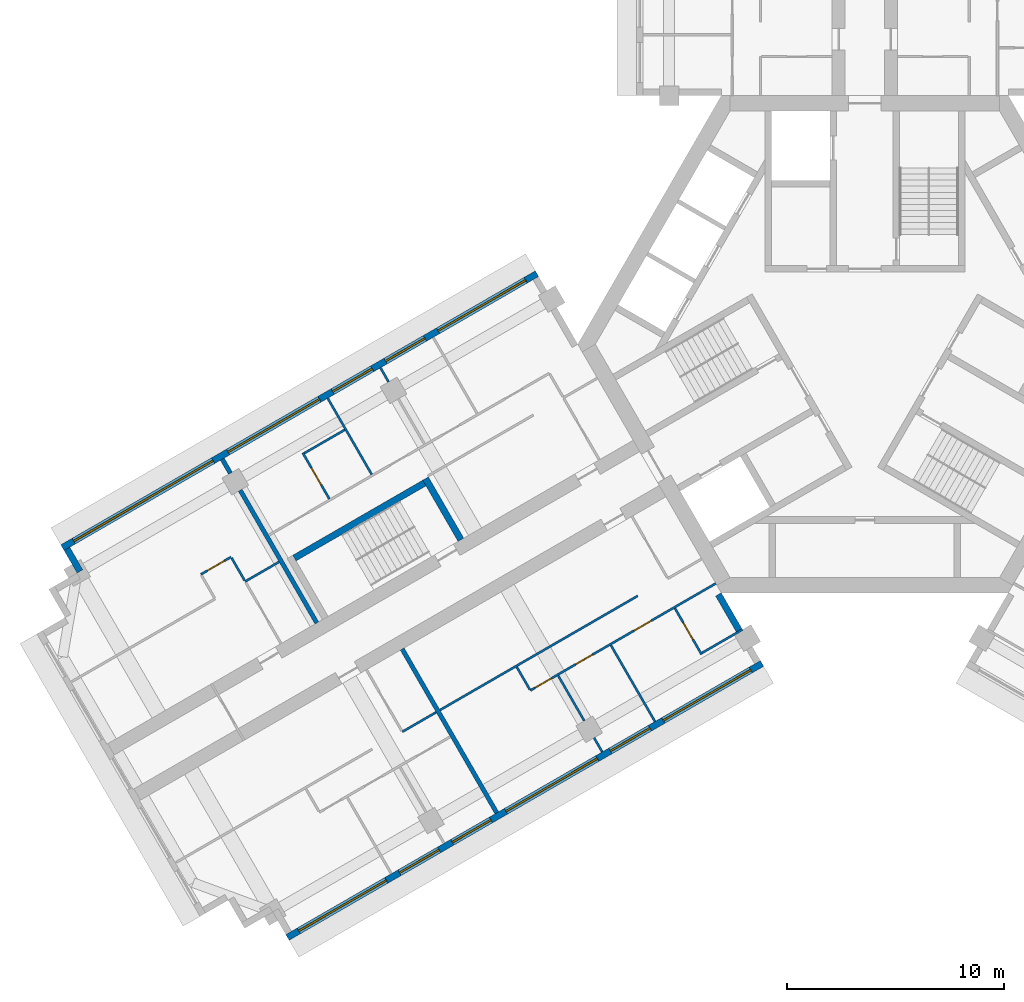
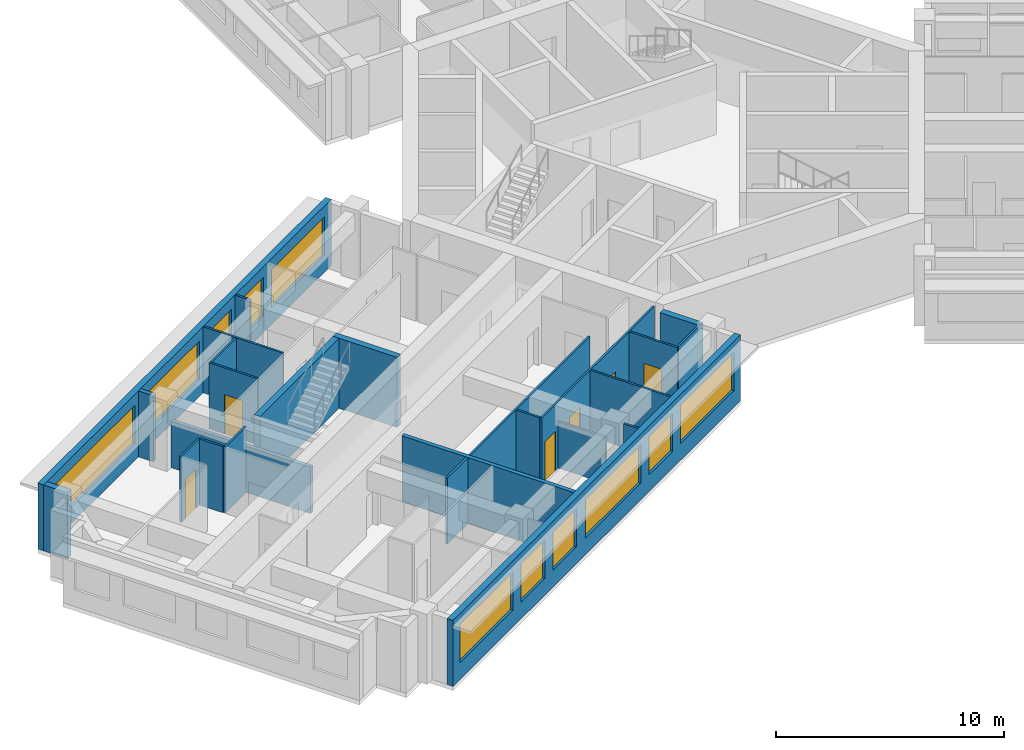
# One storey, part 3 of 11: 25 walls, 11 windows, 6 doors, 17 openings.
"""IFC4 building model written with IfcOpenShell, lengths in metres."""

import ifcopenshell
import ifcopenshell.guid

model = None  # the IFC model being written
_history = None  # IfcOwnerHistory: only IFC2X3 demands one
_inside = {}  # id of a spatial element -> (the spatial element, [elements in it])
_under = {}  # id of a project, library or spatial element -> (it, [spatial elements below it])
_declared = {}  # id of a project -> (the project, [libraries it declares])
_typed = {}  # id of a type object -> (the type object, [elements of that type])
_made_of = {}  # id of a material, layer set ... -> (it, [elements and type objects made of it])


def new_model(schema):
    """Start an empty IFC model of exactly this schema.

    Asked for "IFC4X3", IfcOpenShell would pick the latest addendum, in which some entities
    have other attributes; the version numbers below select the first issue.
    IFC2X3 requires an IfcOwnerHistory on every rooted entity: one is made here for all.
    """
    global model, _history
    if schema == "IFC4X3":
        model = ifcopenshell.file(schema_version=(4, 3, 0, 0))
    else:
        model = ifcopenshell.file(schema=schema)
    _inside.clear()
    _under.clear()
    _declared.clear()
    _typed.clear()
    _made_of.clear()
    _history = None
    if model.schema == "IFC2X3":
        org = make("IfcOrganization", Name="unknown")
        user = make(
            "IfcPersonAndOrganization",
            ThePerson=make("IfcPerson", FamilyName="unknown"),
            TheOrganization=org,
        )
        app = make(
            "IfcApplication",
            ApplicationDeveloper=org,
            Version="unknown",
            ApplicationFullName="unknown",
            ApplicationIdentifier="unknown",
        )
        _history = make(
            "IfcOwnerHistory",
            OwningUser=user,
            OwningApplication=app,
            ChangeAction="ADDED",
            CreationDate=0,
        )
    return model


def make(cls, **values):
    """One entity of the class cls with the attributes given. An attribute that is None is left unset."""
    return model.create_entity(
        cls, **{name: value for name, value in values.items() if value is not None}
    )


def rooted(cls, **values):
    """An entity with a GlobalId (a new one), such as an element, a storey or a relation."""
    return make(cls, GlobalId=ifcopenshell.guid.new(), OwnerHistory=_history, **values)


def si_unit(unit_type, name, prefix=None):
    """IfcSIUnit, for example si_unit("LENGTHUNIT", "METRE", prefix="MILLI")."""
    return make("IfcSIUnit", UnitType=unit_type, Prefix=prefix, Name=name)


def assignment(units):
    """IfcUnitAssignment: the units of a project."""
    return None if units is None else make("IfcUnitAssignment", Units=units)


def point(xyz):
    """IfcCartesianPoint."""
    return None if xyz is None else make("IfcCartesianPoint", Coordinates=xyz)


def direction(xyz):
    """IfcDirection."""
    return None if xyz is None else make("IfcDirection", DirectionRatios=xyz)


def frame(location, z_axis=None, x_axis=None):
    """IfcAxis2Placement3D, a coordinate frame: its origin and axes. An axis left out is left unset."""
    return make(
        "IfcAxis2Placement3D",
        Location=point(location),
        Axis=direction(z_axis),
        RefDirection=direction(x_axis),
    )


def frame_2d(location, x_axis=None):
    """IfcAxis2Placement2D, a coordinate frame in the plane: its origin and x axis."""
    return make(
        "IfcAxis2Placement2D", Location=point(location), RefDirection=direction(x_axis)
    )


def origin():
    """The frame at (0, 0, 0) with its axes left unset."""
    return frame((0.0, 0.0, 0.0))


def place(relative_to, where):
    """IfcLocalPlacement: puts the frame where relative to a parent placement (None: the world)."""
    return make(
        "IfcLocalPlacement", PlacementRelTo=relative_to, RelativePlacement=where
    )


def context(
    kind, dimensions, precision=None, world=None, true_north=None, identifier=None
):
    """IfcGeometricRepresentationContext, for example the 3D "Model" context."""
    return make(
        "IfcGeometricRepresentationContext",
        ContextIdentifier=identifier,
        ContextType=kind,
        CoordinateSpaceDimension=dimensions,
        Precision=precision,
        WorldCoordinateSystem=world,
        TrueNorth=true_north,
    )


def subcontext(parent, identifier, kind, view, scale=None):
    """IfcGeometricRepresentationSubContext, for example "Body" below "Model"."""
    return make(
        "IfcGeometricRepresentationSubContext",
        ContextIdentifier=identifier,
        ContextType=kind,
        ParentContext=parent,
        TargetScale=scale,
        TargetView=view,
    )


def project(units=None, contexts=None):
    """IfcProject with its units and contexts."""
    return rooted(
        "IfcProject",
        Name="project",
        RepresentationContexts=contexts,
        UnitsInContext=assignment(units),
    )


def spatial(cls, under=None, at=None, **own):
    """A site, building, storey or space (cls), placed at a placement, below another one or the project."""
    s = rooted(cls, ObjectPlacement=at, **own)
    if under is not None:
        _under.setdefault(under.id(), (under, []))[1].append(s)
    return s


def profile(cls, at=None, kind="AREA", **sizes):
    """A parametric profile (cls). Its sizes go by their IFC names, for example OverallWidth=200.0."""
    return make(cls, ProfileType=kind, Position=at, **sizes)


def rectangle(**sizes):
    """IfcRectangleProfileDef."""
    return profile("IfcRectangleProfileDef", **sizes)


def extrude(swept, where, along, depth):
    """IfcExtrudedAreaSolid: the profile swept, set in the frame where, extruded along a direction by depth."""
    return make(
        "IfcExtrudedAreaSolid",
        SweptArea=swept,
        Position=where,
        ExtrudedDirection=direction(along),
        Depth=depth,
    )


def shape(context_of_items, identifier, shape_type, items):
    """IfcShapeRepresentation: the items that make up one representation, for example the "Body"."""
    return make(
        "IfcShapeRepresentation",
        ContextOfItems=context_of_items,
        RepresentationIdentifier=identifier,
        RepresentationType=shape_type,
        Items=items,
    )


def material(Name=None, Category=None):
    """IfcMaterial."""
    return make("IfcMaterial", Name=Name, Category=Category)


def layer(
    of_material, thickness, ventilated=None, Name=None, Category=None, Priority=None
):
    """IfcMaterialLayer: one layer of a wall or slab, of a material (None: an air gap)."""
    return make(
        "IfcMaterialLayer",
        Material=of_material,
        LayerThickness=thickness,
        IsVentilated=ventilated,
        Name=Name,
        Category=Category,
        Priority=Priority,
    )


def layer_set(layers, Name=None):
    """IfcMaterialLayerSet."""
    return make("IfcMaterialLayerSet", MaterialLayers=layers, LayerSetName=Name)


def made_of(thing, what):
    """Note that an element or type object is made of a material, layer set ...; save() writes the relation."""
    if what is not None:
        _made_of.setdefault(what.id(), (what, []))[1].append(thing)
    return thing


def type_object(cls, material=None, **own):
    """A type object (cls), such as IfcWallType, which elements share."""
    return made_of(rooted(cls, **own), material)


def element(
    cls,
    number,
    at=None,
    inside=None,
    cuts=None,
    type_object=None,
    material=None,
    context=None,
    identifier="Body",
    shape_type=None,
    held_by="IfcProductDefinitionShape",
    body=None,
    shapes=None,
    **own,
):
    """One element of the class cls, such as IfcWall. Its Tag is "e" and its number.

    at: its placement. inside: the storey or other place that contains it. cuts: it is an
    opening in that element (IfcRelVoidsElement). A single representation is given by context,
    identifier, shape_type and body (its items); several are given by shapes. held_by: the class
    of the entity that holds the representations. save() writes the other relations.
    """
    e = rooted(cls, Tag="e%d" % number, ObjectPlacement=at, **own)
    if body is not None:
        shapes = [shape(context, identifier, shape_type, body)]
    if shapes is not None:
        e.Representation = make(held_by, Representations=shapes)
    if inside is not None:
        _inside.setdefault(inside.id(), (inside, []))[1].append(e)
    if cuts is not None:
        rooted(
            "IfcRelVoidsElement", RelatingBuildingElement=cuts, RelatedOpeningElement=e
        )
    if type_object is not None:
        _typed.setdefault(type_object.id(), (type_object, []))[1].append(e)
    return made_of(e, material)


def fill(opening, filler):
    """IfcRelFillsElement: the door or window that sits in an opening."""
    return rooted(
        "IfcRelFillsElement",
        RelatingOpeningElement=opening,
        RelatedBuildingElement=filler,
    )


def aggregate(whole, parts):
    """IfcRelAggregates: a whole, such as a stair, and the parts it consists of."""
    return rooted("IfcRelAggregates", RelatingObject=whole, RelatedObjects=parts)


def save(model, path):
    """Write the relations noted so far, then the file.

    IfcRelAggregates (storeys below a building ...), IfcRelContainedInSpatialStructure (elements
    in a storey), IfcRelDefinesByType, IfcRelAssociatesMaterial and IfcRelDeclares: one each for
    every whole, place, type object, material and project.
    """
    for whole, parts in _under.values():
        aggregate(whole, parts)
    for where, things in _inside.values():
        rooted(
            "IfcRelContainedInSpatialStructure",
            RelatedElements=things,
            RelatingStructure=where,
        )
    for kind, things in _typed.values():
        rooted("IfcRelDefinesByType", RelatedObjects=things, RelatingType=kind)
    for what, things in _made_of.values():
        rooted("IfcRelAssociatesMaterial", RelatedObjects=things, RelatingMaterial=what)
    for by, libraries in _declared.values():
        rooted("IfcRelDeclares", RelatingContext=by, RelatedDefinitions=libraries)
    model.write(path)


model = new_model("IFC4")

# Units and contexts
model_context = context("Model", 3, precision=1e-05, world=origin(), true_north=direction((0.0, 1.0)))
body_context = subcontext(model_context, "Body", "Model", "MODEL_VIEW")
ifc_project = project(units=[si_unit("LENGTHUNIT", "METRE"), si_unit("AREAUNIT", "SQUARE_METRE"), si_unit("VOLUMEUNIT", "CUBIC_METRE"), si_unit("PLANEANGLEUNIT", "RADIAN"), si_unit("MASSUNIT", "GRAM", prefix="KILO")], contexts=[model_context])

# Site, building, storey
site_placement = place(None, origin())
site = spatial("IfcSite", under=ifc_project, at=site_placement, CompositionType="ELEMENT")
building_placement = place(site_placement, origin())
building = spatial("IfcBuilding", under=site, at=building_placement, Name="Impinga Residences", CompositionType="ELEMENT")
storey_placement = place(building_placement, frame((0.0, 0.0, 199.75)))
storey = spatial("IfcBuildingStorey", under=building, at=storey_placement, Name="L49", CompositionType="ELEMENT", Elevation=199.75)

# Wall
ifc_material_1 = material(Name="Terracotta rainscreen on blockwork", Category="masonry")
ifc_layer_1 = layer(ifc_material_1, 0.300048828125)
ifc_layer_set_1 = layer_set([ifc_layer_1], Name="EW1 external wall, terracotta rainscreen on blockwork 300")
wall_type_1 = type_object("IfcWallType", Name="EW1 external wall, terracotta rainscreen on blockwork 300", PredefinedType="SOLIDWALL", material=ifc_layer_set_1)
wall_1_placement = place(storey_placement, frame((-36.093994140625, -10.446533203125, 0.0), z_axis=(0.0, 0.0, 1.0), x_axis=(-0.499880961361, 0.866094119867, 0.0)))
element("IfcWall", 1, at=wall_1_placement, inside=storey, type_object=wall_type_1, Name="External wall EW1 L49", PredefinedType="SOLIDWALL", context=body_context, shape_type="SweptSolid", body=[
    extrude(rectangle(XDim=1.199951171875, YDim=0.300048828125, at=frame_2d((0.60009765625, 0.0))), origin(), (0.0, 0.0, 1.0), 3.530029296875),
])

# Wall, openings, windows
wall_2_placement = place(storey_placement, frame((-36.89892578125, -9.352294921875, 0.0), z_axis=(0.0, 0.0, 1.0), x_axis=(0.86602925447, 0.499993330357, 0.0)))
wall_2 = element("IfcWall", 2, at=wall_2_placement, inside=storey, type_object=wall_type_1, Name="External wall EW1 L49", PredefinedType="SOLIDWALL", context=body_context, shape_type="SweptSolid", body=[
    extrude(rectangle(XDim=25.199951171875, YDim=0.300048828125, at=frame_2d((12.60009765625, 0.0))), origin(), (0.0, 0.0, 1.0), 3.530029296875),
])
opening_1_placement = place(wall_2_placement, frame((0.60009765625, 0.0, 0.89990234375)))
opening_1 = element("IfcOpeningElement", 3, at=opening_1_placement, cuts=wall_2, Name="Opening W12", PredefinedType="OPENING", context=body_context, shape_type="SweptSolid", body=[
    extrude(rectangle(XDim=7.39990234375, YDim=2.050048828125, at=frame_2d((3.699951171875, 1.02490234375))), frame((0.0, 0.159912109375, 0.0), z_axis=(0.0, -1.0, 0.0), x_axis=(1.0, 0.0, 0.0)), (0.0, 0.0, 1.0), 0.320068359375),
])
opening_2_placement = place(wall_2_placement, frame((8.800048828125, 0.0, 0.89990234375)))
opening_2 = element("IfcOpeningElement", 4, at=opening_2_placement, cuts=wall_2, Name="Opening W6", PredefinedType="OPENING", context=body_context, shape_type="SweptSolid", body=[
    extrude(rectangle(XDim=4.85009765625, YDim=2.050048828125, at=frame_2d((2.425048828125, 1.02490234375))), frame((0.0, 0.159912109375, 0.0), z_axis=(0.0, -1.0, 0.0), x_axis=(1.0, 0.0, 0.0)), (0.0, 0.0, 1.0), 0.320068359375),
])
opening_3_placement = place(wall_2_placement, frame((14.35009765625, 0.0, 0.89990234375)))
opening_3 = element("IfcOpeningElement", 5, at=opening_3_placement, cuts=wall_2, Name="Opening W9", PredefinedType="OPENING", context=body_context, shape_type="SweptSolid", body=[
    extrude(rectangle(XDim=2.10009765625, YDim=2.050048828125, at=frame_2d((1.050048828125, 1.02490234375))), frame((0.0, 0.159912109375, 0.0), z_axis=(0.0, -1.0, 0.0), x_axis=(1.0, 0.0, 0.0)), (0.0, 0.0, 1.0), 0.320068359375),
])
opening_4_placement = place(wall_2_placement, frame((17.14990234375, 0.0, 0.89990234375)))
opening_4 = element("IfcOpeningElement", 6, at=opening_4_placement, cuts=wall_2, Name="Opening W9", PredefinedType="OPENING", context=body_context, shape_type="SweptSolid", body=[
    extrude(rectangle(XDim=2.10009765625, YDim=2.050048828125, at=frame_2d((1.050048828125, 1.02490234375))), frame((0.0, 0.159912109375, 0.0), z_axis=(0.0, -1.0, 0.0), x_axis=(1.0, 0.0, 0.0)), (0.0, 0.0, 1.0), 0.320068359375),
])
opening_5_placement = place(wall_2_placement, frame((19.949951171875, 0.0, 0.89990234375)))
opening_5 = element("IfcOpeningElement", 7, at=opening_5_placement, cuts=wall_2, Name="Opening W10", PredefinedType="OPENING", context=body_context, shape_type="SweptSolid", body=[
    extrude(rectangle(XDim=4.64990234375, YDim=2.050048828125, at=frame_2d((2.324951171875, 1.02490234375))), frame((0.0, 0.159912109375, 0.0), z_axis=(0.0, -1.0, 0.0), x_axis=(1.0, 0.0, 0.0)), (0.0, 0.0, 1.0), 0.320068359375),
])
ifc_material_2 = material(Name="Aluminium window, clear double glazing", Category="aluminium")
window_type_1 = type_object("IfcWindowType", Name="W10 ribbon window 4650x2050", PartitioningType="SINGLE_PANEL", PredefinedType="WINDOW", material=ifc_material_2)
window_1_placement = place(opening_5_placement, origin())
window_1 = element("IfcWindow", 8, at=window_1_placement, inside=storey, type_object=window_type_1, Name="Window L49", OverallHeight=2.050048828125, OverallWidth=4.64990234375, PartitioningType="SINGLE_PANEL", PredefinedType="WINDOW", context=body_context, shape_type="SweptSolid", body=[
    extrude(rectangle(XDim=4.64990234375, YDim=2.050048828125, at=frame_2d((2.324951171875, 1.02490234375))), frame((0.0, 0.030029296875, 0.0), z_axis=(0.0, -1.0, 0.0), x_axis=(1.0, 0.0, 0.0)), (0.0, 0.0, 1.0), 0.06005859375),
])
fill(opening_5, window_1)
window_type_2 = type_object("IfcWindowType", Name="W12 ribbon window 7400x2050", PartitioningType="SINGLE_PANEL", PredefinedType="WINDOW", material=ifc_material_2)
window_2_placement = place(opening_1_placement, origin())
window_2 = element("IfcWindow", 9, at=window_2_placement, inside=storey, type_object=window_type_2, Name="Window L49", OverallHeight=2.050048828125, OverallWidth=7.39990234375, PartitioningType="SINGLE_PANEL", PredefinedType="WINDOW", context=body_context, shape_type="SweptSolid", body=[
    extrude(rectangle(XDim=7.39990234375, YDim=2.050048828125, at=frame_2d((3.699951171875, 1.02490234375))), frame((0.0, 0.030029296875, 0.0), z_axis=(0.0, -1.0, 0.0), x_axis=(1.0, 0.0, 0.0)), (0.0, 0.0, 1.0), 0.06005859375),
])
fill(opening_1, window_2)
window_type_3 = type_object("IfcWindowType", Name="W6 ribbon window 4850x2050", PartitioningType="SINGLE_PANEL", PredefinedType="WINDOW", material=ifc_material_2)
window_3_placement = place(opening_2_placement, origin())
window_3 = element("IfcWindow", 10, at=window_3_placement, inside=storey, type_object=window_type_3, Name="Window L49", OverallHeight=2.050048828125, OverallWidth=4.85009765625, PartitioningType="SINGLE_PANEL", PredefinedType="WINDOW", context=body_context, shape_type="SweptSolid", body=[
    extrude(rectangle(XDim=4.85009765625, YDim=2.050048828125, at=frame_2d((2.425048828125, 1.02490234375))), frame((0.0, 0.030029296875, 0.0), z_axis=(0.0, -1.0, 0.0), x_axis=(1.0, 0.0, 0.0)), (0.0, 0.0, 1.0), 0.06005859375),
])
fill(opening_2, window_3)
window_type_4 = type_object("IfcWindowType", Name="W9 ribbon window 2100x2050", PartitioningType="SINGLE_PANEL", PredefinedType="WINDOW", material=ifc_material_2)
window_4_placement = place(opening_3_placement, origin())
window_4 = element("IfcWindow", 11, at=window_4_placement, inside=storey, type_object=window_type_4, Name="Window L49", OverallHeight=2.050048828125, OverallWidth=2.10009765625, PartitioningType="SINGLE_PANEL", PredefinedType="WINDOW", context=body_context, shape_type="SweptSolid", body=[
    extrude(rectangle(XDim=2.10009765625, YDim=2.050048828125, at=frame_2d((1.050048828125, 1.02490234375))), frame((0.0, 0.030029296875, 0.0), z_axis=(0.0, -1.0, 0.0), x_axis=(1.0, 0.0, 0.0)), (0.0, 0.0, 1.0), 0.06005859375),
])
fill(opening_3, window_4)
window_5_placement = place(opening_4_placement, origin())
window_5 = element("IfcWindow", 12, at=window_5_placement, inside=storey, type_object=window_type_4, Name="Window L49", OverallHeight=2.050048828125, OverallWidth=2.10009765625, PartitioningType="SINGLE_PANEL", PredefinedType="WINDOW", context=body_context, shape_type="SweptSolid", body=[
    extrude(rectangle(XDim=2.10009765625, YDim=2.050048828125, at=frame_2d((1.050048828125, 1.02490234375))), frame((0.0, 0.030029296875, 0.0), z_axis=(0.0, -1.0, 0.0), x_axis=(1.0, 0.0, 0.0)), (0.0, 0.0, 1.0), 0.06005859375),
])
fill(opening_4, window_5)

# Wall
wall_3_placement = place(storey_placement, frame((-6.72998046875, -11.506591796875, 0.0), z_axis=(0.0, 0.0, 1.0), x_axis=(0.500043961785, -0.866000020948, 0.0)))
element("IfcWall", 13, at=wall_3_placement, inside=storey, type_object=wall_type_1, Name="External wall EW1 L49", PredefinedType="SOLIDWALL", context=body_context, shape_type="SweptSolid", body=[
    extrude(rectangle(XDim=1.949951171875, YDim=0.300048828125, at=frame_2d((0.97509765625, 0.0))), origin(), (0.0, 0.0, 1.0), 3.530029296875),
])

# Wall, openings, windows
wall_4_placement = place(storey_placement, frame((-4.72509765625, -14.67919921875, 0.0), z_axis=(0.0, 0.0, 1.0), x_axis=(-0.866026832479, -0.499997525421, 0.0)))
wall_4 = element("IfcWall", 14, at=wall_4_placement, inside=storey, type_object=wall_type_1, Name="External wall EW1 L49", PredefinedType="SOLIDWALL", context=body_context, shape_type="SweptSolid", body=[
    extrude(rectangle(XDim=25.199951171875, YDim=0.300048828125, at=frame_2d((12.60009765625, 0.0))), origin(), (0.0, 0.0, 1.0), 3.530029296875),
])
opening_6_placement = place(wall_4_placement, frame((0.60009765625, 0.0, 0.89990234375)))
opening_6 = element("IfcOpeningElement", 15, at=opening_6_placement, cuts=wall_4, Name="Opening W10", PredefinedType="OPENING", context=body_context, shape_type="SweptSolid", body=[
    extrude(rectangle(XDim=4.64990234375, YDim=2.050048828125, at=frame_2d((2.324951171875, 1.02490234375))), frame((0.0, 0.159912109375, 0.0), z_axis=(0.0, -1.0, 0.0), x_axis=(1.0, 0.0, 0.0)), (0.0, 0.0, 1.0), 0.320068359375),
])
opening_7_placement = place(wall_4_placement, frame((5.949951171875, 0.0, 0.89990234375)))
opening_7 = element("IfcOpeningElement", 16, at=opening_7_placement, cuts=wall_4, Name="Opening W9", PredefinedType="OPENING", context=body_context, shape_type="SweptSolid", body=[
    extrude(rectangle(XDim=2.10009765625, YDim=2.050048828125, at=frame_2d((1.050048828125, 1.02490234375))), frame((0.0, 0.159912109375, 0.0), z_axis=(0.0, -1.0, 0.0), x_axis=(1.0, 0.0, 0.0)), (0.0, 0.0, 1.0), 0.320068359375),
])
opening_8_placement = place(wall_4_placement, frame((8.75, 0.0, 0.89990234375)))
opening_8 = element("IfcOpeningElement", 17, at=opening_8_placement, cuts=wall_4, Name="Opening W6", PredefinedType="OPENING", context=body_context, shape_type="SweptSolid", body=[
    extrude(rectangle(XDim=4.85009765625, YDim=2.050048828125, at=frame_2d((2.425048828125, 1.02490234375))), frame((0.0, 0.159912109375, 0.0), z_axis=(0.0, -1.0, 0.0), x_axis=(1.0, 0.0, 0.0)), (0.0, 0.0, 1.0), 0.320068359375),
])
opening_9_placement = place(wall_4_placement, frame((14.39990234375, 0.0, 0.89990234375)))
opening_9 = element("IfcOpeningElement", 18, at=opening_9_placement, cuts=wall_4, Name="Opening W14", PredefinedType="OPENING", context=body_context, shape_type="SweptSolid", body=[
    extrude(rectangle(XDim=2.050048828125, YDim=2.050048828125, at=frame_2d((1.02490234375, 1.02490234375))), frame((0.0, 0.159912109375, 0.0), z_axis=(0.0, -1.0, 0.0), x_axis=(1.0, 0.0, 0.0)), (0.0, 0.0, 1.0), 0.320068359375),
])
opening_10_placement = place(wall_4_placement, frame((17.14990234375, 0.0, 0.89990234375)))
opening_10 = element("IfcOpeningElement", 19, at=opening_10_placement, cuts=wall_4, Name="Opening W9", PredefinedType="OPENING", context=body_context, shape_type="SweptSolid", body=[
    extrude(rectangle(XDim=2.10009765625, YDim=2.050048828125, at=frame_2d((1.050048828125, 1.02490234375))), frame((0.0, 0.159912109375, 0.0), z_axis=(0.0, -1.0, 0.0), x_axis=(1.0, 0.0, 0.0)), (0.0, 0.0, 1.0), 0.320068359375),
])
opening_11_placement = place(wall_4_placement, frame((19.949951171875, 0.0, 0.89990234375)))
opening_11 = element("IfcOpeningElement", 20, at=opening_11_placement, cuts=wall_4, Name="Opening W10", PredefinedType="OPENING", context=body_context, shape_type="SweptSolid", body=[
    extrude(rectangle(XDim=4.64990234375, YDim=2.050048828125, at=frame_2d((2.324951171875, 1.02490234375))), frame((0.0, 0.159912109375, 0.0), z_axis=(0.0, -1.0, 0.0), x_axis=(1.0, 0.0, 0.0)), (0.0, 0.0, 1.0), 0.320068359375),
])
window_6_placement = place(opening_6_placement, origin())
window_6 = element("IfcWindow", 21, at=window_6_placement, inside=storey, type_object=window_type_1, Name="Window L49", OverallHeight=2.050048828125, OverallWidth=4.64990234375, PartitioningType="SINGLE_PANEL", PredefinedType="WINDOW", context=body_context, shape_type="SweptSolid", body=[
    extrude(rectangle(XDim=4.64990234375, YDim=2.050048828125, at=frame_2d((2.324951171875, 1.02490234375))), frame((0.0, 0.030029296875, 0.0), z_axis=(0.0, -1.0, 0.0), x_axis=(1.0, 0.0, 0.0)), (0.0, 0.0, 1.0), 0.06005859375),
])
fill(opening_6, window_6)
window_7_placement = place(opening_11_placement, origin())
window_7 = element("IfcWindow", 22, at=window_7_placement, inside=storey, type_object=window_type_1, Name="Window L49", OverallHeight=2.050048828125, OverallWidth=4.64990234375, PartitioningType="SINGLE_PANEL", PredefinedType="WINDOW", context=body_context, shape_type="SweptSolid", body=[
    extrude(rectangle(XDim=4.64990234375, YDim=2.050048828125, at=frame_2d((2.324951171875, 1.02490234375))), frame((0.0, 0.030029296875, 0.0), z_axis=(0.0, -1.0, 0.0), x_axis=(1.0, 0.0, 0.0)), (0.0, 0.0, 1.0), 0.06005859375),
])
fill(opening_11, window_7)
window_type_5 = type_object("IfcWindowType", Name="W14 ribbon window 2050x2050", PartitioningType="SINGLE_PANEL", PredefinedType="WINDOW", material=ifc_material_2)
window_8_placement = place(opening_9_placement, origin())
window_8 = element("IfcWindow", 23, at=window_8_placement, inside=storey, type_object=window_type_5, Name="Window L49", OverallHeight=2.050048828125, OverallWidth=2.050048828125, PartitioningType="SINGLE_PANEL", PredefinedType="WINDOW", context=body_context, shape_type="SweptSolid", body=[
    extrude(rectangle(XDim=2.050048828125, YDim=2.050048828125, at=frame_2d((1.02490234375, 1.02490234375))), frame((0.0, 0.030029296875, 0.0), z_axis=(0.0, -1.0, 0.0), x_axis=(1.0, 0.0, 0.0)), (0.0, 0.0, 1.0), 0.06005859375),
])
fill(opening_9, window_8)
window_9_placement = place(opening_8_placement, origin())
window_9 = element("IfcWindow", 24, at=window_9_placement, inside=storey, type_object=window_type_3, Name="Window L49", OverallHeight=2.050048828125, OverallWidth=4.85009765625, PartitioningType="SINGLE_PANEL", PredefinedType="WINDOW", context=body_context, shape_type="SweptSolid", body=[
    extrude(rectangle(XDim=4.85009765625, YDim=2.050048828125, at=frame_2d((2.425048828125, 1.02490234375))), frame((0.0, 0.030029296875, 0.0), z_axis=(0.0, -1.0, 0.0), x_axis=(1.0, 0.0, 0.0)), (0.0, 0.0, 1.0), 0.06005859375),
])
fill(opening_8, window_9)
window_10_placement = place(opening_7_placement, origin())
window_10 = element("IfcWindow", 25, at=window_10_placement, inside=storey, type_object=window_type_4, Name="Window L49", OverallHeight=2.050048828125, OverallWidth=2.10009765625, PartitioningType="SINGLE_PANEL", PredefinedType="WINDOW", context=body_context, shape_type="SweptSolid", body=[
    extrude(rectangle(XDim=2.10009765625, YDim=2.050048828125, at=frame_2d((1.050048828125, 1.02490234375))), frame((0.0, 0.030029296875, 0.0), z_axis=(0.0, -1.0, 0.0), x_axis=(1.0, 0.0, 0.0)), (0.0, 0.0, 1.0), 0.06005859375),
])
fill(opening_7, window_10)
window_11_placement = place(opening_10_placement, origin())
window_11 = element("IfcWindow", 26, at=window_11_placement, inside=storey, type_object=window_type_4, Name="Window L49", OverallHeight=2.050048828125, OverallWidth=2.10009765625, PartitioningType="SINGLE_PANEL", PredefinedType="WINDOW", context=body_context, shape_type="SweptSolid", body=[
    extrude(rectangle(XDim=2.10009765625, YDim=2.050048828125, at=frame_2d((1.050048828125, 1.02490234375))), frame((0.0, 0.030029296875, 0.0), z_axis=(0.0, -1.0, 0.0), x_axis=(1.0, 0.0, 0.0)), (0.0, 0.0, 1.0), 0.06005859375),
])
fill(opening_10, window_11)

# Wall
ifc_material_3 = material(Name="Gypsum board on steel studs", Category="steel")
ifc_layer_2 = layer(ifc_material_3, 0.10009765625)
ifc_layer_set_2 = layer_set([ifc_layer_2], Name="Gypsum board on steel studs")
wall_type_2 = type_object("IfcWallType", Name="IP1 partition 100", PredefinedType="PARTITIONING", material=ifc_layer_set_2)
wall_5_placement = place(storey_placement, frame((-10.444580078125, -11.57275390625, 0.0), z_axis=(0.0, 0.0, 1.0), x_axis=(-0.866025284237, -0.500000207062, 0.0)))
element("IfcWall", 27, at=wall_5_placement, inside=storey, type_object=wall_type_2, Name="Partition L49-WA1:DIV1", PredefinedType="PARTITIONING", context=body_context, shape_type="SweptSolid", body=[
    extrude(rectangle(XDim=10.5, YDim=0.10009765625, at=frame_2d((5.25, 0.0))), origin(), (0.0, 0.0, 1.0), 3.530029296875),
])

# Wall, openings, doors
wall_6_placement = place(storey_placement, frame((-6.85009765625, -10.99853515625, 0.0), z_axis=(0.0, 0.0, 1.0), x_axis=(-0.866021308241, -0.500007093622, 0.0)))
wall_6 = element("IfcWall", 28, at=wall_6_placement, inside=storey, type_object=wall_type_2, Name="Partition L49-WA1:STRIP", PredefinedType="PARTITIONING", context=body_context, shape_type="SweptSolid", body=[
    extrude(rectangle(XDim=9.849853515625, YDim=0.10009765625, at=frame_2d((4.9248046875, 0.0))), origin(), (0.0, 0.0, 1.0), 3.530029296875),
])
opening_12_placement = place(wall_6_placement, frame((3.449951171875, 0.0, 0.0)))
opening_12 = element("IfcOpeningElement", 29, at=opening_12_placement, cuts=wall_6, Name="Opening D2", PredefinedType="OPENING", context=body_context, shape_type="SweptSolid", body=[
    extrude(rectangle(XDim=0.89990234375, YDim=2.10009765625, at=frame_2d((0.449951171875, 1.050048828125))), frame((0.0, 0.06005859375, 0.0), z_axis=(0.0, -1.0, 0.0), x_axis=(1.0, 0.0, 0.0)), (0.0, 0.0, 1.0), 0.1201171875),
])
opening_13_placement = place(wall_6_placement, frame((6.550048828125, 0.0, 0.0)))
opening_13 = element("IfcOpeningElement", 30, at=opening_13_placement, cuts=wall_6, Name="Opening D2", PredefinedType="OPENING", context=body_context, shape_type="SweptSolid", body=[
    extrude(rectangle(XDim=0.89990234375, YDim=2.10009765625, at=frame_2d((0.449951171875, 1.050048828125))), frame((0.0, 0.06005859375, 0.0), z_axis=(0.0, -1.0, 0.0), x_axis=(1.0, 0.0, 0.0)), (0.0, 0.0, 1.0), 0.1201171875),
])
opening_14_placement = place(wall_6_placement, frame((8.699951171875, 0.0, 0.0)))
opening_14 = element("IfcOpeningElement", 31, at=opening_14_placement, cuts=wall_6, Name="Opening D2", PredefinedType="OPENING", context=body_context, shape_type="SweptSolid", body=[
    extrude(rectangle(XDim=0.89990234375, YDim=2.10009765625, at=frame_2d((0.449951171875, 1.050048828125))), frame((0.0, 0.06005859375, 0.0), z_axis=(0.0, -1.0, 0.0), x_axis=(1.0, 0.0, 0.0)), (0.0, 0.0, 1.0), 0.1201171875),
])
ifc_material_4 = material(Name="Timber door set", Category="wood")
door_type = type_object("IfcDoorType", Name="D2 internal door 900x2100", OperationType="SINGLE_SWING_LEFT", PredefinedType="DOOR", material=ifc_material_4)
door_1_placement = place(opening_12_placement, origin())
door_1 = element("IfcDoor", 32, at=door_1_placement, inside=storey, type_object=door_type, Name="Apartment L49-WA1 room door", OperationType="SINGLE_SWING_LEFT", OverallHeight=2.10009765625, OverallWidth=0.89990234375, PredefinedType="DOOR", context=body_context, shape_type="SweptSolid", body=[
    extrude(rectangle(XDim=0.89990234375, YDim=2.10009765625, at=frame_2d((0.449951171875, 1.050048828125))), frame((0.0, 0.02490234375, 0.0), z_axis=(0.0, -1.0, 0.0), x_axis=(1.0, 0.0, 0.0)), (0.0, 0.0, 1.0), 0.050048828125),
])
fill(opening_12, door_1)
door_2_placement = place(opening_13_placement, origin())
door_2 = element("IfcDoor", 33, at=door_2_placement, inside=storey, type_object=door_type, Name="Apartment L49-WA1 room door", OperationType="SINGLE_SWING_RIGHT", OverallHeight=2.10009765625, OverallWidth=0.89990234375, PredefinedType="DOOR", context=body_context, shape_type="SweptSolid", body=[
    extrude(rectangle(XDim=0.89990234375, YDim=2.10009765625, at=frame_2d((0.449951171875, 1.050048828125))), frame((0.0, 0.02490234375, 0.0), z_axis=(0.0, -1.0, 0.0), x_axis=(1.0, 0.0, 0.0)), (0.0, 0.0, 1.0), 0.050048828125),
])
fill(opening_13, door_2)
door_3_placement = place(opening_14_placement, origin())
door_3 = element("IfcDoor", 34, at=door_3_placement, inside=storey, type_object=door_type, Name="Apartment L49-WA1 room door", OperationType="SINGLE_SWING_RIGHT", OverallHeight=2.10009765625, OverallWidth=0.89990234375, PredefinedType="DOOR", context=body_context, shape_type="SweptSolid", body=[
    extrude(rectangle(XDim=0.89990234375, YDim=2.10009765625, at=frame_2d((0.449951171875, 1.050048828125))), frame((0.0, 0.02490234375, 0.0), z_axis=(0.0, -1.0, 0.0), x_axis=(1.0, 0.0, 0.0)), (0.0, 0.0, 1.0), 0.050048828125),
])
fill(opening_14, door_3)

# Walls
wall_7_placement = place(storey_placement, frame((-16.00537109375, -14.841064453125, 0.0), z_axis=(0.0, 0.0, 1.0), x_axis=(0.50012165622, -0.865955154139, 0.0)))
element("IfcWall", 35, at=wall_7_placement, inside=storey, type_object=wall_type_2, Name="Partition L49-WA1:SE1", PredefinedType="PARTITIONING", context=body_context, shape_type="SweptSolid", body=[
    extrude(rectangle(XDim=1.199951171875, YDim=0.10009765625, at=frame_2d((0.60009765625, 0.0))), origin(), (0.0, 0.0, 1.0), 3.530029296875),
])
wall_8_placement = place(storey_placement, frame((-11.6748046875, -13.841796875, 0.0), z_axis=(0.0, 0.0, 1.0), x_axis=(0.500035537042, -0.866004885491, 0.0)))
element("IfcWall", 36, at=wall_8_placement, inside=storey, type_object=wall_type_2, Name="Partition L49-WA1:OB1", PredefinedType="PARTITIONING", context=body_context, shape_type="SweptSolid", body=[
    extrude(rectangle(XDim=4.050048828125, YDim=0.10009765625, at=frame_2d((2.02490234375, 0.0))), origin(), (0.0, 0.0, 1.0), 3.530029296875),
])
wall_9_placement = place(storey_placement, frame((-14.099609375, -15.241943359375, 0.0), z_axis=(0.0, 0.0, 1.0), x_axis=(0.500001309137, -0.866024647952, 0.0)))
element("IfcWall", 37, at=wall_9_placement, inside=storey, type_object=wall_type_2, Name="Partition L49-WA1:OB2", PredefinedType="PARTITIONING", context=body_context, shape_type="SweptSolid", body=[
    extrude(rectangle(XDim=2.39990234375, YDim=0.10009765625, at=frame_2d((1.199951171875, 0.0))), origin(), (0.0, 0.0, 1.0), 2.47998046875),
])
wall_10_placement = place(storey_placement, frame((-12.44970703125, -18.099609375, 0.0), z_axis=(0.0, 0.0, 1.0), x_axis=(0.499919672301, -0.866071776036, 0.0)))
element("IfcWall", 38, at=wall_10_placement, inside=storey, type_object=wall_type_2, Name="Partition L49-WA1:OB2b", PredefinedType="PARTITIONING", context=body_context, shape_type="SweptSolid", body=[
    extrude(rectangle(XDim=0.75, YDim=0.10009765625, at=frame_2d((0.375, 0.0))), origin(), (0.0, 0.0, 1.0), 3.530029296875),
])

# Wall, opening, door
wall_11_placement = place(storey_placement, frame((-8.730224609375, -12.141845703125, 0.0), z_axis=(0.0, 0.0, 1.0), x_axis=(0.499943856944, -0.866057815567, 0.0)))
wall_11 = element("IfcWall", 39, at=wall_11_placement, inside=storey, type_object=wall_type_2, Name="Partition L49-WA1:EN1", PredefinedType="PARTITIONING", context=body_context, shape_type="SweptSolid", body=[
    extrude(rectangle(XDim=2.449951171875, YDim=0.10009765625, at=frame_2d((1.22509765625, 0.0))), origin(), (0.0, 0.0, 1.0), 3.530029296875),
])
opening_15_placement = place(wall_11_placement, frame((0.75, 0.0, 0.0)))
opening_15 = element("IfcOpeningElement", 40, at=opening_15_placement, cuts=wall_11, Name="Opening D2", PredefinedType="OPENING", context=body_context, shape_type="SweptSolid", body=[
    extrude(rectangle(XDim=0.89990234375, YDim=2.10009765625, at=frame_2d((0.449951171875, 1.050048828125))), frame((0.0, 0.06005859375, 0.0), z_axis=(0.0, -1.0, 0.0), x_axis=(1.0, 0.0, 0.0)), (0.0, 0.0, 1.0), 0.1201171875),
])
door_4_placement = place(opening_15_placement, origin())
door_4 = element("IfcDoor", 41, at=door_4_placement, inside=storey, type_object=door_type, Name="Apartment L49-WA1 en-suite door", OperationType="SINGLE_SWING_LEFT", OverallHeight=2.10009765625, OverallWidth=0.89990234375, PredefinedType="DOOR", context=body_context, shape_type="SweptSolid", body=[
    extrude(rectangle(XDim=0.89990234375, YDim=2.10009765625, at=frame_2d((0.449951171875, 1.050048828125))), frame((0.0, 0.02490234375, 0.0), z_axis=(0.0, -1.0, 0.0), x_axis=(1.0, 0.0, 0.0)), (0.0, 0.0, 1.0), 0.050048828125),
])
fill(opening_15, door_4)

# Walls
wall_12_placement = place(storey_placement, frame((-5.625, -13.120361328125, 0.0), z_axis=(0.0, 0.0, 1.0), x_axis=(-0.866047553582, -0.499961633463, 0.0)))
element("IfcWall", 42, at=wall_12_placement, inside=storey, type_object=wall_type_2, Name="Partition L49-WA1:EN2", PredefinedType="PARTITIONING", context=body_context, shape_type="SweptSolid", body=[
    extrude(rectangle(XDim=2.150146484375, YDim=0.10009765625, at=frame_2d((1.0751953125, 0.0))), origin(), (0.0, 0.0, 1.0), 3.530029296875),
])
wall_13_placement = place(storey_placement, frame((-19.7109375, -16.922607421875, 0.0), z_axis=(0.0, 0.0, 1.0), x_axis=(-0.865989075817, -0.500062916607, 0.0)))
element("IfcWall", 43, at=wall_13_placement, inside=storey, type_object=wall_type_2, Name="Partition L49-WA2:DIV0", PredefinedType="PARTITIONING", context=body_context, shape_type="SweptSolid", body=[
    extrude(rectangle(XDim=1.800048828125, YDim=0.10009765625, at=frame_2d((0.89990234375, 0.0))), origin(), (0.0, 0.0, 1.0), 3.530029296875),
])
wall_14_placement = place(storey_placement, frame((-21.899658203125, -1.73193359375, 0.0), z_axis=(0.0, 0.0, 1.0), x_axis=(-0.499919672301, 0.866071776036, 0.0)))
element("IfcWall", 44, at=wall_14_placement, inside=storey, type_object=wall_type_2, Name="Partition L49-WF1:OB2b", PredefinedType="PARTITIONING", context=body_context, shape_type="SweptSolid", body=[
    extrude(rectangle(XDim=0.75, YDim=0.10009765625, at=frame_2d((0.375, 0.0))), origin(), (0.0, 0.0, 1.0), 3.530029296875),
])
wall_15_placement = place(storey_placement, frame((-22.674560546875, -5.98974609375, 0.0), z_axis=(0.0, 0.0, 1.0), x_axis=(-0.499990325971, 0.866030989016, 0.0)))
element("IfcWall", 45, at=wall_15_placement, inside=storey, type_object=wall_type_2, Name="Partition L49-WF1:OB3", PredefinedType="PARTITIONING", context=body_context, shape_type="SweptSolid", body=[
    extrude(rectangle(XDim=4.0498046875, YDim=0.10009765625, at=frame_2d((2.02490234375, 0.0))), origin(), (0.0, 0.0, 1.0), 3.530029296875),
])

# Wall, opening, door
wall_16_placement = place(storey_placement, frame((-24.623046875, -7.11474609375, 0.0), z_axis=(0.0, 0.0, 1.0), x_axis=(-0.500018594424, 0.866014668023, 0.0)))
wall_16 = element("IfcWall", 46, at=wall_16_placement, inside=storey, type_object=wall_type_2, Name="Partition L49-WF1:EN1", PredefinedType="PARTITIONING", context=body_context, shape_type="SweptSolid", body=[
    extrude(rectangle(XDim=2.4501953125, YDim=0.10009765625, at=frame_2d((1.22509765625, 0.0))), origin(), (0.0, 0.0, 1.0), 3.530029296875),
])
opening_16_placement = place(wall_16_placement, frame((0.75, 0.0, 0.0)))
opening_16 = element("IfcOpeningElement", 47, at=opening_16_placement, cuts=wall_16, Name="Opening D2", PredefinedType="OPENING", context=body_context, shape_type="SweptSolid", body=[
    extrude(rectangle(XDim=0.89990234375, YDim=2.10009765625, at=frame_2d((0.449951171875, 1.050048828125))), frame((0.0, 0.06005859375, 0.0), z_axis=(0.0, -1.0, 0.0), x_axis=(1.0, 0.0, 0.0)), (0.0, 0.0, 1.0), 0.1201171875),
])
door_5_placement = place(opening_16_placement, origin())
door_5 = element("IfcDoor", 48, at=door_5_placement, inside=storey, type_object=door_type, Name="Apartment L49-WF1 en-suite door", OperationType="SINGLE_SWING_LEFT", OverallHeight=2.10009765625, OverallWidth=0.89990234375, PredefinedType="DOOR", context=body_context, shape_type="SweptSolid", body=[
    extrude(rectangle(XDim=0.89990234375, YDim=2.10009765625, at=frame_2d((0.449951171875, 1.050048828125))), frame((0.0, 0.02490234375, 0.0), z_axis=(0.0, -1.0, 0.0), x_axis=(1.0, 0.0, 0.0)), (0.0, 0.0, 1.0), 0.050048828125),
])
fill(opening_16, door_5)

# Walls
wall_17_placement = place(storey_placement, frame((-23.917724609375, -3.936279296875, 0.0), z_axis=(0.0, 0.0, 1.0), x_axis=(-0.866047553582, -0.499961633463, 0.0)))
element("IfcWall", 49, at=wall_17_placement, inside=storey, type_object=wall_type_2, Name="Partition L49-WF1:EN2", PredefinedType="PARTITIONING", context=body_context, shape_type="SweptSolid", body=[
    extrude(rectangle(XDim=2.150146484375, YDim=0.10009765625, at=frame_2d((1.0751953125, 0.0))), origin(), (0.0, 0.0, 1.0), 3.530029296875),
])
wall_18_placement = place(storey_placement, frame((-26.935791015625, -10.0087890625, 0.0), z_axis=(0.0, 0.0, 1.0), x_axis=(-0.865989075817, -0.500062916607, 0.0)))
element("IfcWall", 50, at=wall_18_placement, inside=storey, type_object=wall_type_2, Name="Partition L49-WF2:DIV0", PredefinedType="PARTITIONING", context=body_context, shape_type="SweptSolid", body=[
    extrude(rectangle(XDim=1.800048828125, YDim=0.10009765625, at=frame_2d((0.89990234375, 0.0))), origin(), (0.0, 0.0, 1.0), 3.530029296875),
])

# Wall, opening, door
wall_19_placement = place(storey_placement, frame((-29.144775390625, -9.782958984375, 0.0), z_axis=(0.0, 0.0, 1.0), x_axis=(-0.865989903783, -0.500061482766, 0.0)))
wall_19 = element("IfcWall", 51, at=wall_19_placement, inside=storey, type_object=wall_type_2, Name="Partition L49-WF2:STRIP", PredefinedType="PARTITIONING", context=body_context, shape_type="SweptSolid", body=[
    extrude(rectangle(XDim=1.599853515625, YDim=0.10009765625, at=frame_2d((0.7998046875, 0.0))), origin(), (0.0, 0.0, 1.0), 3.530029296875),
])
opening_17_placement = place(wall_19_placement, frame((0.35009765625, 0.0, 0.0)))
opening_17 = element("IfcOpeningElement", 52, at=opening_17_placement, cuts=wall_19, Name="Opening D2", PredefinedType="OPENING", context=body_context, shape_type="SweptSolid", body=[
    extrude(rectangle(XDim=0.89990234375, YDim=2.10009765625, at=frame_2d((0.449951171875, 1.050048828125))), frame((0.0, 0.06005859375, 0.0), z_axis=(0.0, -1.0, 0.0), x_axis=(1.0, 0.0, 0.0)), (0.0, 0.0, 1.0), 0.1201171875),
])
door_6_placement = place(opening_17_placement, origin())
door_6 = element("IfcDoor", 53, at=door_6_placement, inside=storey, type_object=door_type, Name="Apartment L49-WF2 room door", OperationType="SINGLE_SWING_LEFT", OverallHeight=2.10009765625, OverallWidth=0.89990234375, PredefinedType="DOOR", context=body_context, shape_type="SweptSolid", body=[
    extrude(rectangle(XDim=0.89990234375, YDim=2.10009765625, at=frame_2d((0.449951171875, 1.050048828125))), frame((0.0, 0.02490234375, 0.0), z_axis=(0.0, -1.0, 0.0), x_axis=(1.0, 0.0, 0.0)), (0.0, 0.0, 1.0), 0.050048828125),
])
fill(opening_17, door_6)

# Walls
wall_20_placement = place(storey_placement, frame((-28.519775390625, -10.865478515625, 0.0), z_axis=(0.0, 0.0, 1.0), x_axis=(-0.499969057507, 0.866043267704, 0.0)))
element("IfcWall", 54, at=wall_20_placement, inside=storey, type_object=wall_type_2, Name="Partition L49-WF2:SE0", PredefinedType="PARTITIONING", context=body_context, shape_type="SweptSolid", body=[
    extrude(rectangle(XDim=1.19970703125, YDim=0.10009765625, at=frame_2d((0.599853515625, 0.0))), origin(), (0.0, 0.0, 1.0), 3.530029296875),
])
ifc_material_5 = material(Name="Concrete blockwork", Category="masonry")
ifc_layer_3 = layer(ifc_material_5, 0.199951171875)
ifc_layer_set_3 = layer_set([ifc_layer_3], Name="PW1 party wall between apartments 200")
wall_type_3 = type_object("IfcWallType", Name="PW1 party wall between apartments 200", PredefinedType="SOLIDWALL", material=ifc_layer_set_3)
wall_21_placement = place(storey_placement, frame((-21.2744140625, -14.014892578125, 0.0), z_axis=(0.0, 0.0, 1.0), x_axis=(0.500008278454, -0.866020624164, 0.0)))
element("IfcWall", 55, at=wall_21_placement, inside=storey, type_object=wall_type_3, Name="Party wall between apartments L49-WA1:PARTY", PredefinedType="SOLIDWALL", context=body_context, shape_type="SweptSolid", body=[
    extrude(rectangle(XDim=8.699951171875, YDim=0.199951171875, at=frame_2d((4.35009765625, 0.0))), origin(), (0.0, 0.0, 1.0), 3.530029296875),
])
wall_22_placement = place(storey_placement, frame((-25.19921875, -12.816650390625, 0.0), z_axis=(0.0, 0.0, 1.0), x_axis=(-0.499990246421, 0.866031034943, 0.0)))
element("IfcWall", 56, at=wall_22_placement, inside=storey, type_object=wall_type_3, Name="Party wall between apartments L49-WF1:PARTY", PredefinedType="SOLIDWALL", context=body_context, shape_type="SweptSolid", body=[
    extrude(rectangle(XDim=7.050048828125, YDim=0.199951171875, at=frame_2d((3.52490234375, 0.0))), origin(), (0.0, 0.0, 1.0), 2.47998046875),
])
wall_23_placement = place(storey_placement, frame((-29.17431640625, -5.931884765625, 0.0), z_axis=(0.0, 0.0, 1.0), x_axis=(-0.499919672301, 0.866071776036, 0.0)))
element("IfcWall", 57, at=wall_23_placement, inside=storey, type_object=wall_type_3, Name="Party wall between apartments L49-WF1:PARTYb", PredefinedType="SOLIDWALL", context=body_context, shape_type="SweptSolid", body=[
    extrude(rectangle(XDim=0.75, YDim=0.199951171875, at=frame_2d((0.375, 0.0))), origin(), (0.0, 0.0, 1.0), 3.530029296875),
])
ifc_material_6 = material(Name="Concrete C60/75", Category="concrete")
ifc_layer_4 = layer(ifc_material_6, 0.300048828125)
ifc_layer_set_4 = layer_set([ifc_layer_4], Name="Concrete C60/75")
wall_type_4 = type_object("IfcWallType", Name="SE1 wing stair enclosure wall 300", PredefinedType="SOLIDWALL", material=ifc_layer_set_4)
wall_24_placement = place(storey_placement, frame((-18.57421875, -8.99169921875, 0.0), z_axis=(0.0, 0.0, 1.0), x_axis=(-0.500017246033, 0.866015446554, 0.0)))
element("IfcWall", 58, at=wall_24_placement, inside=storey, type_object=wall_type_4, Name="Stair enclosure wall SE1 W END0 L49", PredefinedType="SOLIDWALL", context=body_context, shape_type="SweptSolid", body=[
    extrude(rectangle(XDim=3.25, YDim=0.300048828125, at=frame_2d((1.625, 0.0))), origin(), (0.0, 0.0, 1.0), 3.75),
])
wall_25_placement = place(storey_placement, frame((-20.254150390625, -6.382080078125, 0.0), z_axis=(0.0, 0.0, 1.0), x_axis=(-0.866020008033, -0.500009345598, 0.0)))
element("IfcWall", 59, at=wall_25_placement, inside=storey, type_object=wall_type_4, Name="Stair enclosure wall SE1 W OUT L49", PredefinedType="SOLIDWALL", context=body_context, shape_type="SweptSolid", body=[
    extrude(rectangle(XDim=6.899658203125, YDim=0.300048828125, at=frame_2d((3.44970703125, 0.0))), origin(), (0.0, 0.0, 1.0), 3.75),
])

save(model, "model.ifc")
